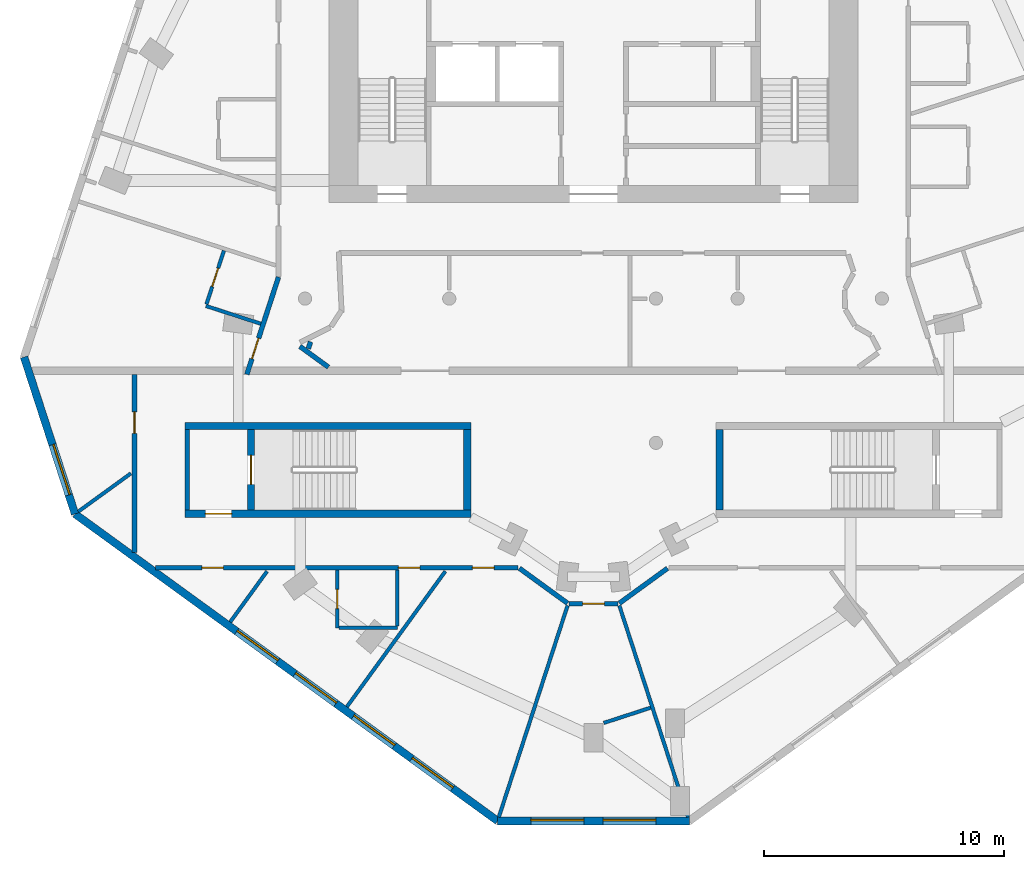
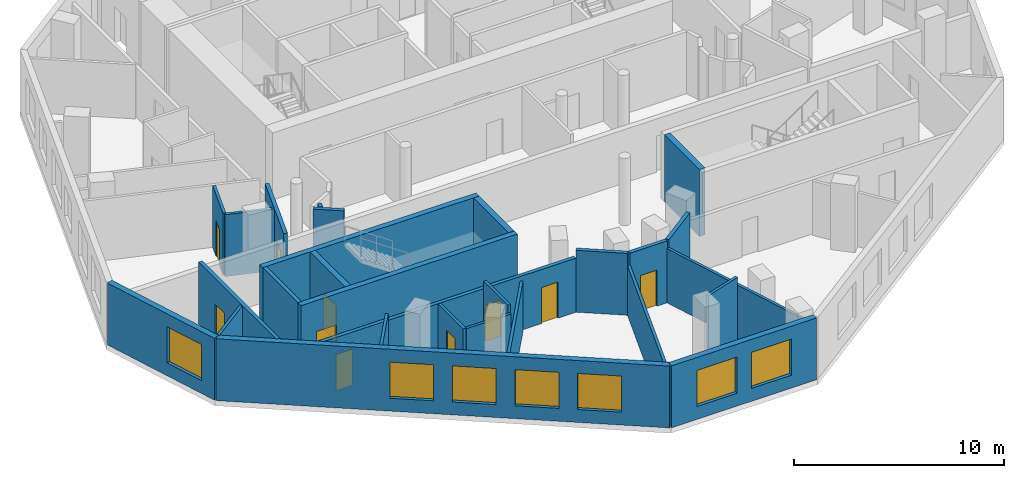
# One storey, part 2 of 9: 28 walls, 10 doors, 7 windows, 17 openings.
"""IFC4 building model written with IfcOpenShell, lengths in metres."""

from ifc_helpers import new_model, si_unit, direction, frame, frame_2d, origin, place, context, subcontext, project, spatial, rectangle, extrude, material, layer, layer_set, type_object, element, fill, save


model = new_model("IFC4")

# Units and contexts
model_context = context("Model", 3, precision=1e-05, world=origin(), true_north=direction((0.0, 1.0)))
body_context = subcontext(model_context, "Body", "Model", "MODEL_VIEW")
ifc_project = project(units=[si_unit("LENGTHUNIT", "METRE"), si_unit("AREAUNIT", "SQUARE_METRE"), si_unit("VOLUMEUNIT", "CUBIC_METRE"), si_unit("PLANEANGLEUNIT", "RADIAN"), si_unit("MASSUNIT", "GRAM", prefix="KILO")], contexts=[model_context])

# Site, building, storey
site_placement = place(None, origin())
site = spatial("IfcSite", under=ifc_project, at=site_placement, CompositionType="ELEMENT")
building_placement = place(site_placement, origin())
building = spatial("IfcBuilding", under=site, at=building_placement, Name="White Candle Pilgrim Tower", CompositionType="ELEMENT")
storey_placement = place(building_placement, frame((0.0, 0.0, 252.199951171875)))
storey = spatial("IfcBuildingStorey", under=building, at=storey_placement, Name="L59", CompositionType="ELEMENT", Elevation=252.199951171875)

# Wall
ifc_material_1 = material(Name="Concrete C50/60", Category="concrete")
ifc_layer_1 = layer(ifc_material_1, 0.199951171875)
ifc_layer_set_1 = layer_set([ifc_layer_1], Name="Core wall 200 mm Concrete C50/60")
wall_type_1 = type_object("IfcWallType", Name="Core wall 200 mm Concrete C50/60", PredefinedType="SHEAR", material=ifc_layer_set_1)
wall_1_placement = place(storey_placement, frame((53.10009765625, 58.199951171875, 0.0), z_axis=(0.0, 0.0, 1.0), x_axis=(0.0, 1.0, 0.0)))
element("IfcWall", 1, at=wall_1_placement, inside=storey, type_object=wall_type_1, Name="WL-L59-C03", PredefinedType="SHEAR", context=body_context, shape_type="SweptSolid", body=[
    extrude(rectangle(XDim=3.35009765625, YDim=0.199951171875, at=frame_2d((1.675048828125, 0.0))), origin(), (0.0, 0.0, 1.0), 3.900146484375),
])

# Wall, opening, door
ifc_material_2 = material(Name="Gypsum board on steel studs", Category="steel")
ifc_layer_2 = layer(ifc_material_2, 0.199951171875)
ifc_layer_set_2 = layer_set([ifc_layer_2], Name="Corridor wall 200 mm EI 45")
wall_type_2 = type_object("IfcWallType", Name="Corridor wall 200 mm EI 45", PredefinedType="PARTITIONING", material=ifc_layer_set_2)
wall_2_placement = place(storey_placement, frame((55.580078125, 63.85009765625, 0.0), z_axis=(0.0, 0.0, 1.0), x_axis=(0.308990077211, 0.951065261791, 0.0)))
wall_2 = element("IfcWall", 2, at=wall_2_placement, inside=storey, type_object=wall_type_2, Name="WL-L59-P002", PredefinedType="PARTITIONING", context=body_context, shape_type="SweptSolid", body=[
    extrude(rectangle(XDim=4.255615234375, YDim=0.199951171875, at=frame_2d((2.1279296875, 0.0))), origin(), (0.0, 0.0, 1.0), 3.60009765625),
])
opening_1_placement = place(wall_2_placement, frame((0.68017578125, 0.0, 0.0)))
opening_1 = element("IfcOpeningElement", 3, at=opening_1_placement, cuts=wall_2, Name="Opening T18-117", PredefinedType="OPENING", context=body_context, shape_type="SweptSolid", body=[
    extrude(rectangle(XDim=0.89990234375, YDim=2.10009765625, at=frame_2d((0.449951171875, 1.050048828125))), frame((0.0, 0.10986328125, 0.0), z_axis=(0.0, -1.0, 0.0), x_axis=(1.0, 0.0, 0.0)), (0.0, 0.0, 1.0), 0.219970703125),
])
ifc_material_3 = material(Name="Steel door leaf", Category="steel")
door_type_1 = type_object("IfcDoorType", Name="Fire door 900 x 2100 EI 30", OperationType="NOTDEFINED", PredefinedType="DOOR", material=ifc_material_3)
door_1_placement = place(opening_1_placement, origin())
door_1 = element("IfcDoor", 4, at=door_1_placement, inside=storey, type_object=door_type_1, Name="Door T18-117", OperationType="SINGLE_SWING_LEFT", OverallHeight=2.10009765625, OverallWidth=0.89990234375, PredefinedType="DOOR", context=body_context, shape_type="SweptSolid", body=[
    extrude(rectangle(XDim=0.89990234375, YDim=2.10009765625, at=frame_2d((0.449951171875, 1.050048828125))), frame((0.0, 0.02490234375, 0.0), z_axis=(0.0, -1.0, 0.0), x_axis=(1.0, 0.0, 0.0)), (0.0, 0.0, 1.0), 0.050048828125),
])
fill(opening_1, door_1)

# Wall
wall_3_placement = place(storey_placement, frame((73.08056640625, 55.781005859375, 0.0), z_axis=(0.0, 0.0, 1.0), x_axis=(-0.808962045992, -0.587860874821, 0.0)))
element("IfcWall", 5, at=wall_3_placement, inside=storey, type_object=wall_type_2, Name="WL-L59-P008", PredefinedType="PARTITIONING", context=body_context, shape_type="SweptSolid", body=[
    extrude(rectangle(XDim=2.4755859375, YDim=0.199951171875, at=frame_2d((1.23779296875, 0.0))), origin(), (0.0, 0.0, 1.0), 3.60009765625),
])

# Wall, opening, door
wall_4_placement = place(storey_placement, frame((71.01904296875, 54.306640625, 0.0), z_axis=(0.0, 0.0, 1.0), x_axis=(-1.0, 0.0, 0.0)))
wall_4 = element("IfcWall", 6, at=wall_4_placement, inside=storey, type_object=wall_type_2, Name="WL-L59-P009", PredefinedType="PARTITIONING", context=body_context, shape_type="SweptSolid", body=[
    extrude(rectangle(XDim=2.0380859375, YDim=0.199951171875, at=frame_2d((1.01904296875, 0.0))), origin(), (0.0, 0.0, 1.0), 3.60009765625),
])
opening_2_placement = place(wall_4_placement, frame((0.569091796875, 0.0, 0.0)))
opening_2 = element("IfcOpeningElement", 7, at=opening_2_placement, cuts=wall_4, Name="Opening T18-108", PredefinedType="OPENING", context=body_context, shape_type="SweptSolid", body=[
    extrude(rectangle(XDim=0.89990234375, YDim=2.10009765625, at=frame_2d((0.449951171875, 1.050048828125))), frame((0.0, 0.10986328125, 0.0), z_axis=(0.0, -1.0, 0.0), x_axis=(1.0, 0.0, 0.0)), (0.0, 0.0, 1.0), 0.219970703125),
])
door_2_placement = place(opening_2_placement, origin())
door_2 = element("IfcDoor", 8, at=door_2_placement, inside=storey, type_object=door_type_1, Name="Door T18-108", OperationType="SINGLE_SWING_RIGHT", OverallHeight=2.10009765625, OverallWidth=0.89990234375, PredefinedType="DOOR", context=body_context, shape_type="SweptSolid", body=[
    extrude(rectangle(XDim=0.89990234375, YDim=2.10009765625, at=frame_2d((0.449951171875, 1.050048828125))), frame((0.0, 0.02490234375, 0.0), z_axis=(0.0, -1.0, 0.0), x_axis=(1.0, 0.0, 0.0)), (0.0, 0.0, 1.0), 0.050048828125),
])
fill(opening_2, door_2)

# Wall
wall_5_placement = place(storey_placement, frame((68.922119140625, 54.32568359375, 0.0), z_axis=(0.0, 0.0, 1.0), x_axis=(-0.808962045992, 0.587860874821, 0.0)))
element("IfcWall", 9, at=wall_5_placement, inside=storey, type_object=wall_type_2, Name="WL-L59-P010", PredefinedType="PARTITIONING", context=body_context, shape_type="SweptSolid", body=[
    extrude(rectangle(XDim=2.4755859375, YDim=0.199951171875, at=frame_2d((1.23779296875, 0.0))), origin(), (0.0, 0.0, 1.0), 3.60009765625),
])

# Wall, openings, doors
wall_6_placement = place(storey_placement, frame((66.860595703125, 55.800048828125, 0.0), z_axis=(0.0, 0.0, 1.0), x_axis=(-1.0, 0.0, 0.0)))
wall_6 = element("IfcWall", 10, at=wall_6_placement, inside=storey, type_object=wall_type_2, Name="WL-L59-P011", PredefinedType="PARTITIONING", context=body_context, shape_type="SweptSolid", body=[
    extrude(rectangle(XDim=15.074951171875, YDim=0.199951171875, at=frame_2d((7.53759765625, 0.0))), origin(), (0.0, 0.0, 1.0), 3.150146484375),
])
opening_3_placement = place(wall_6_placement, frame((12.25537109375, 0.0, 0.0)))
opening_3 = element("IfcOpeningElement", 11, at=opening_3_placement, cuts=wall_6, Name="Opening T18-104", PredefinedType="OPENING", context=body_context, shape_type="SweptSolid", body=[
    extrude(rectangle(XDim=0.89990234375, YDim=2.10009765625, at=frame_2d((0.449951171875, 1.050048828125))), frame((0.0, 0.10986328125, 0.0), z_axis=(0.0, -1.0, 0.0), x_axis=(1.0, 0.0, 0.0)), (0.0, 0.0, 1.0), 0.219970703125),
])
opening_4_placement = place(wall_6_placement, frame((4.07763671875, 0.0, 0.0)))
opening_4 = element("IfcOpeningElement", 12, at=opening_4_placement, cuts=wall_6, Name="Opening T18-106", PredefinedType="OPENING", context=body_context, shape_type="SweptSolid", body=[
    extrude(rectangle(XDim=0.89990234375, YDim=2.10009765625, at=frame_2d((0.449951171875, 1.050048828125))), frame((0.0, 0.10986328125, 0.0), z_axis=(0.0, -1.0, 0.0), x_axis=(1.0, 0.0, 0.0)), (0.0, 0.0, 1.0), 0.219970703125),
])
opening_5_placement = place(wall_6_placement, frame((0.993408203125, 0.0, 0.0)))
opening_5 = element("IfcOpeningElement", 13, at=opening_5_placement, cuts=wall_6, Name="Opening T18-107", PredefinedType="OPENING", context=body_context, shape_type="SweptSolid", body=[
    extrude(rectangle(XDim=0.89990234375, YDim=2.10009765625, at=frame_2d((0.449951171875, 1.050048828125))), frame((0.0, 0.10986328125, 0.0), z_axis=(0.0, -1.0, 0.0), x_axis=(1.0, 0.0, 0.0)), (0.0, 0.0, 1.0), 0.219970703125),
])
door_3_placement = place(opening_3_placement, origin())
door_3 = element("IfcDoor", 14, at=door_3_placement, inside=storey, type_object=door_type_1, Name="Door T18-104", OperationType="SINGLE_SWING_RIGHT", OverallHeight=2.10009765625, OverallWidth=0.89990234375, PredefinedType="DOOR", context=body_context, shape_type="SweptSolid", body=[
    extrude(rectangle(XDim=0.89990234375, YDim=2.10009765625, at=frame_2d((0.449951171875, 1.050048828125))), frame((0.0, 0.02490234375, 0.0), z_axis=(0.0, -1.0, 0.0), x_axis=(1.0, 0.0, 0.0)), (0.0, 0.0, 1.0), 0.050048828125),
])
fill(opening_3, door_3)
door_4_placement = place(opening_4_placement, origin())
door_4 = element("IfcDoor", 15, at=door_4_placement, inside=storey, type_object=door_type_1, Name="Door T18-106", OperationType="SINGLE_SWING_RIGHT", OverallHeight=2.10009765625, OverallWidth=0.89990234375, PredefinedType="DOOR", context=body_context, shape_type="SweptSolid", body=[
    extrude(rectangle(XDim=0.89990234375, YDim=2.10009765625, at=frame_2d((0.449951171875, 1.050048828125))), frame((0.0, 0.02490234375, 0.0), z_axis=(0.0, -1.0, 0.0), x_axis=(1.0, 0.0, 0.0)), (0.0, 0.0, 1.0), 0.050048828125),
])
fill(opening_4, door_4)
door_5_placement = place(opening_5_placement, origin())
door_5 = element("IfcDoor", 16, at=door_5_placement, inside=storey, type_object=door_type_1, Name="Door T18-107", OperationType="SINGLE_SWING_LEFT", OverallHeight=2.10009765625, OverallWidth=0.89990234375, PredefinedType="DOOR", context=body_context, shape_type="SweptSolid", body=[
    extrude(rectangle(XDim=0.89990234375, YDim=2.10009765625, at=frame_2d((0.449951171875, 1.050048828125))), frame((0.0, 0.02490234375, 0.0), z_axis=(0.0, -1.0, 0.0), x_axis=(1.0, 0.0, 0.0)), (0.0, 0.0, 1.0), 0.050048828125),
])
fill(opening_5, door_5)

# Wall, opening, door
wall_7_placement = place(storey_placement, frame((50.89990234375, 56.443359375, 0.0), z_axis=(0.0, 0.0, 1.0), x_axis=(0.0, 1.0, 0.0)))
wall_7 = element("IfcWall", 17, at=wall_7_placement, inside=storey, type_object=wall_type_2, Name="WL-L59-P012", PredefinedType="PARTITIONING", context=body_context, shape_type="SweptSolid", body=[
    extrude(rectangle(XDim=7.40673828125, YDim=0.199951171875, at=frame_2d((3.703369140625, 0.0))), origin(), (0.0, 0.0, 1.0), 3.60009765625),
])
opening_6_placement = place(wall_7_placement, frame((4.94921875, 0.0, 0.0)))
opening_6 = element("IfcOpeningElement", 18, at=opening_6_placement, cuts=wall_7, Name="Opening T18-103", PredefinedType="OPENING", context=body_context, shape_type="SweptSolid", body=[
    extrude(rectangle(XDim=0.89990234375, YDim=2.10009765625, at=frame_2d((0.449951171875, 1.050048828125))), frame((0.0, 0.10986328125, 0.0), z_axis=(0.0, -1.0, 0.0), x_axis=(1.0, 0.0, 0.0)), (0.0, 0.0, 1.0), 0.219970703125),
])
door_6_placement = place(opening_6_placement, origin())
door_6 = element("IfcDoor", 19, at=door_6_placement, inside=storey, type_object=door_type_1, Name="Door T18-103", OperationType="SINGLE_SWING_LEFT", OverallHeight=2.10009765625, OverallWidth=0.89990234375, PredefinedType="DOOR", context=body_context, shape_type="SweptSolid", body=[
    extrude(rectangle(XDim=0.89990234375, YDim=2.10009765625, at=frame_2d((0.449951171875, 1.050048828125))), frame((0.0, 0.02490234375, 0.0), z_axis=(0.0, -1.0, 0.0), x_axis=(1.0, 0.0, 0.0)), (0.0, 0.0, 1.0), 0.050048828125),
])
fill(opening_6, door_6)

# Walls
wall_8_placement = place(storey_placement, frame((57.785400390625, 65.0126953125, 0.0), z_axis=(0.0, 0.0, 1.0), x_axis=(0.809066765609, -0.587716741966, 0.0)))
element("IfcWall", 20, at=wall_8_placement, inside=storey, type_object=wall_type_2, Name="WL-L59-P022", PredefinedType="PARTITIONING", context=body_context, shape_type="SweptSolid", body=[
    extrude(rectangle(XDim=1.468017578125, YDim=0.199951171875, at=frame_2d((0.73388671875, 0.0))), origin(), (0.0, 0.0, 1.0), 3.60009765625),
])
wall_9_placement = place(storey_placement, frame((58.1357421875, 64.920166015625, 0.0), z_axis=(0.0, 0.0, 1.0), x_axis=(0.308939772629, 0.951081603695, 0.0)))
element("IfcWall", 21, at=wall_9_placement, inside=storey, type_object=wall_type_2, Name="WL-L59-P054", PredefinedType="PARTITIONING", context=body_context, shape_type="SweptSolid", body=[
    extrude(rectangle(XDim=0.3017578125, YDim=0.199951171875, at=frame_2d((0.15087890625, 0.0))), origin(), (0.0, 0.0, 1.0), 3.60009765625),
])

# Wall, opening, window
ifc_material_4 = material(Name="Precast concrete C40/50", Category="concrete")
ifc_layer_3 = layer(ifc_material_4, 0.320068359375)
ifc_layer_set_3 = layer_set([ifc_layer_3], Name="Facade wall EW1 precast concrete C40/50 pier wall with timber-lined reveals")
wall_type_3 = type_object("IfcWallType", Name="Facade wall EW1 precast concrete C40/50 pier wall with timber-lined reveals", PredefinedType="SOLIDWALL", material=ifc_layer_set_3)
wall_10_placement = place(storey_placement, frame((46.308349609375, 64.569091796875, 0.0), z_axis=(0.0, 0.0, 1.0), x_axis=(0.309016913419, -0.951056542599, 0.0)))
wall_10 = element("IfcWall", 22, at=wall_10_placement, inside=storey, type_object=wall_type_3, Name="Facade wall L59 W chamfer", PredefinedType="SOLIDWALL", context=body_context, shape_type="SweptSolid", body=[
    extrude(rectangle(XDim=6.86474609375, YDim=0.320068359375, at=frame_2d((3.432373046875, 0.0))), origin(), (0.0, 0.0, 1.0), 3.60009765625),
])
opening_7_placement = place(wall_10_placement, frame((3.83251953125, 0.0, 0.75)))
opening_7 = element("IfcOpeningElement", 23, at=opening_7_placement, cuts=wall_10, Name="Opening W4", PredefinedType="OPENING", context=body_context, shape_type="SweptSolid", body=[
    extrude(rectangle(XDim=2.199951171875, YDim=2.10009765625, at=frame_2d((1.10009765625, 1.050048828125))), frame((0.0, 0.169921875, 0.0), z_axis=(0.0, -1.0, 0.0), x_axis=(1.0, 0.0, 0.0)), (0.0, 0.0, 1.0), 0.340087890625),
])
ifc_material_5 = material(Name="Timber frame with triple glazing", Category="wood")
window_type_1 = type_object("IfcWindowType", Name="Window W4 2200x2100 timber frame triple glazing", PartitioningType="SINGLE_PANEL", PredefinedType="WINDOW", material=ifc_material_5)
window_1_placement = place(opening_7_placement, origin())
window_1 = element("IfcWindow", 24, at=window_1_placement, inside=storey, type_object=window_type_1, Name="Window W4 L59 W chamfer 2", OverallHeight=2.10009765625, OverallWidth=2.199951171875, PartitioningType="SINGLE_PANEL", PredefinedType="WINDOW", context=body_context, shape_type="SweptSolid", body=[
    extrude(rectangle(XDim=2.199951171875, YDim=2.10009765625, at=frame_2d((1.10009765625, 1.050048828125))), frame((0.0, 0.070068359375, 0.0), z_axis=(0.0, -1.0, 0.0), x_axis=(1.0, 0.0, 0.0)), (0.0, 0.0, 1.0), 0.06005859375),
])
fill(opening_7, window_1)

# Wall, openings, windows
wall_11_placement = place(storey_placement, frame((48.4296875, 58.040283203125, 0.0), z_axis=(0.0, 0.0, 1.0), x_axis=(0.809018242367, -0.587783534575, 0.0)))
wall_11 = element("IfcWall", 25, at=wall_11_placement, inside=storey, type_object=wall_type_3, Name="Facade wall L59 SW", PredefinedType="SOLIDWALL", context=body_context, shape_type="SweptSolid", body=[
    extrude(rectangle(XDim=21.73193359375, YDim=0.320068359375, at=frame_2d((10.865966796875, 0.0))), origin(), (0.0, 0.0, 1.0), 3.60009765625),
])
opening_8_placement = place(wall_11_placement, frame((8.31591796875, 0.0, 0.75)))
opening_8 = element("IfcOpeningElement", 26, at=opening_8_placement, cuts=wall_11, Name="Opening W3", PredefinedType="OPENING", context=body_context, shape_type="SweptSolid", body=[
    extrude(rectangle(XDim=2.10009765625, YDim=2.10009765625, at=frame_2d((1.050048828125, 1.050048828125))), frame((0.0, 0.169921875, 0.0), z_axis=(0.0, -1.0, 0.0), x_axis=(1.0, 0.0, 0.0)), (0.0, 0.0, 1.0), 0.340087890625),
])
opening_9_placement = place(wall_11_placement, frame((11.31591796875, 0.0, 0.75)))
opening_9 = element("IfcOpeningElement", 27, at=opening_9_placement, cuts=wall_11, Name="Opening W3", PredefinedType="OPENING", context=body_context, shape_type="SweptSolid", body=[
    extrude(rectangle(XDim=2.10009765625, YDim=2.10009765625, at=frame_2d((1.050048828125, 1.050048828125))), frame((0.0, 0.169921875, 0.0), z_axis=(0.0, -1.0, 0.0), x_axis=(1.0, 0.0, 0.0)), (0.0, 0.0, 1.0), 0.340087890625),
])
opening_10_placement = place(wall_11_placement, frame((14.31591796875, 0.0, 0.75)))
opening_10 = element("IfcOpeningElement", 28, at=opening_10_placement, cuts=wall_11, Name="Opening W3", PredefinedType="OPENING", context=body_context, shape_type="SweptSolid", body=[
    extrude(rectangle(XDim=2.10009765625, YDim=2.10009765625, at=frame_2d((1.050048828125, 1.050048828125))), frame((0.0, 0.169921875, 0.0), z_axis=(0.0, -1.0, 0.0), x_axis=(1.0, 0.0, 0.0)), (0.0, 0.0, 1.0), 0.340087890625),
])
opening_11_placement = place(wall_11_placement, frame((17.31591796875, 0.0, 0.75)))
opening_11 = element("IfcOpeningElement", 29, at=opening_11_placement, cuts=wall_11, Name="Opening W3", PredefinedType="OPENING", context=body_context, shape_type="SweptSolid", body=[
    extrude(rectangle(XDim=2.10009765625, YDim=2.10009765625, at=frame_2d((1.050048828125, 1.050048828125))), frame((0.0, 0.169921875, 0.0), z_axis=(0.0, -1.0, 0.0), x_axis=(1.0, 0.0, 0.0)), (0.0, 0.0, 1.0), 0.340087890625),
])
window_type_2 = type_object("IfcWindowType", Name="Window W3 2100x2100 timber frame triple glazing", PartitioningType="SINGLE_PANEL", PredefinedType="WINDOW", material=ifc_material_5)
window_2_placement = place(opening_8_placement, origin())
window_2 = element("IfcWindow", 30, at=window_2_placement, inside=storey, type_object=window_type_2, Name="Window W3 L59 SW 3", OverallHeight=2.10009765625, OverallWidth=2.10009765625, PartitioningType="SINGLE_PANEL", PredefinedType="WINDOW", context=body_context, shape_type="SweptSolid", body=[
    extrude(rectangle(XDim=2.10009765625, YDim=2.10009765625, at=frame_2d((1.050048828125, 1.050048828125))), frame((0.0, 0.070068359375, 0.0), z_axis=(0.0, -1.0, 0.0), x_axis=(1.0, 0.0, 0.0)), (0.0, 0.0, 1.0), 0.06005859375),
])
fill(opening_8, window_2)
window_3_placement = place(opening_9_placement, origin())
window_3 = element("IfcWindow", 31, at=window_3_placement, inside=storey, type_object=window_type_2, Name="Window W3 L59 SW 4", OverallHeight=2.10009765625, OverallWidth=2.10009765625, PartitioningType="SINGLE_PANEL", PredefinedType="WINDOW", context=body_context, shape_type="SweptSolid", body=[
    extrude(rectangle(XDim=2.10009765625, YDim=2.10009765625, at=frame_2d((1.050048828125, 1.050048828125))), frame((0.0, 0.070068359375, 0.0), z_axis=(0.0, -1.0, 0.0), x_axis=(1.0, 0.0, 0.0)), (0.0, 0.0, 1.0), 0.06005859375),
])
fill(opening_9, window_3)
window_4_placement = place(opening_10_placement, origin())
window_4 = element("IfcWindow", 32, at=window_4_placement, inside=storey, type_object=window_type_2, Name="Window W3 L59 SW 5", OverallHeight=2.10009765625, OverallWidth=2.10009765625, PartitioningType="SINGLE_PANEL", PredefinedType="WINDOW", context=body_context, shape_type="SweptSolid", body=[
    extrude(rectangle(XDim=2.10009765625, YDim=2.10009765625, at=frame_2d((1.050048828125, 1.050048828125))), frame((0.0, 0.070068359375, 0.0), z_axis=(0.0, -1.0, 0.0), x_axis=(1.0, 0.0, 0.0)), (0.0, 0.0, 1.0), 0.06005859375),
])
fill(opening_10, window_4)
window_5_placement = place(opening_11_placement, origin())
window_5 = element("IfcWindow", 33, at=window_5_placement, inside=storey, type_object=window_type_2, Name="Window W3 L59 SW 6", OverallHeight=2.10009765625, OverallWidth=2.10009765625, PartitioningType="SINGLE_PANEL", PredefinedType="WINDOW", context=body_context, shape_type="SweptSolid", body=[
    extrude(rectangle(XDim=2.10009765625, YDim=2.10009765625, at=frame_2d((1.050048828125, 1.050048828125))), frame((0.0, 0.070068359375, 0.0), z_axis=(0.0, -1.0, 0.0), x_axis=(1.0, 0.0, 0.0)), (0.0, 0.0, 1.0), 0.06005859375),
])
fill(opening_11, window_5)

wall_12_placement = place(storey_placement, frame((66.01123046875, 45.2666015625, 0.0), z_axis=(0.0, 0.0, 1.0), x_axis=(1.0, 0.0, 0.0)))
wall_12 = element("IfcWall", 34, at=wall_12_placement, inside=storey, type_object=wall_type_3, Name="Facade wall L59 S chamfer", PredefinedType="SOLIDWALL", context=body_context, shape_type="SweptSolid", body=[
    extrude(rectangle(XDim=7.9775390625, YDim=0.320068359375, at=frame_2d((3.98876953125, 0.0))), origin(), (0.0, 0.0, 1.0), 3.60009765625),
])
opening_12_placement = place(wall_12_placement, frame((1.388671875, 0.0, 0.75)))
opening_12 = element("IfcOpeningElement", 35, at=opening_12_placement, cuts=wall_12, Name="Opening W4", PredefinedType="OPENING", context=body_context, shape_type="SweptSolid", body=[
    extrude(rectangle(XDim=2.199951171875, YDim=2.10009765625, at=frame_2d((1.10009765625, 1.050048828125))), frame((0.0, 0.169921875, 0.0), z_axis=(0.0, -1.0, 0.0), x_axis=(1.0, 0.0, 0.0)), (0.0, 0.0, 1.0), 0.340087890625),
])
opening_13_placement = place(wall_12_placement, frame((4.388671875, 0.0, 0.75)))
opening_13 = element("IfcOpeningElement", 36, at=opening_13_placement, cuts=wall_12, Name="Opening W4", PredefinedType="OPENING", context=body_context, shape_type="SweptSolid", body=[
    extrude(rectangle(XDim=2.199951171875, YDim=2.10009765625, at=frame_2d((1.10009765625, 1.050048828125))), frame((0.0, 0.169921875, 0.0), z_axis=(0.0, -1.0, 0.0), x_axis=(1.0, 0.0, 0.0)), (0.0, 0.0, 1.0), 0.340087890625),
])
window_6_placement = place(opening_12_placement, origin())
window_6 = element("IfcWindow", 37, at=window_6_placement, inside=storey, type_object=window_type_1, Name="Window W4 L59 S chamfer 1", OverallHeight=2.10009765625, OverallWidth=2.199951171875, PartitioningType="SINGLE_PANEL", PredefinedType="WINDOW", context=body_context, shape_type="SweptSolid", body=[
    extrude(rectangle(XDim=2.199951171875, YDim=2.10009765625, at=frame_2d((1.10009765625, 1.050048828125))), frame((0.0, 0.070068359375, 0.0), z_axis=(0.0, -1.0, 0.0), x_axis=(1.0, 0.0, 0.0)), (0.0, 0.0, 1.0), 0.06005859375),
])
fill(opening_12, window_6)
window_7_placement = place(opening_13_placement, origin())
window_7 = element("IfcWindow", 38, at=window_7_placement, inside=storey, type_object=window_type_1, Name="Window W4 L59 S chamfer 2", OverallHeight=2.10009765625, OverallWidth=2.199951171875, PartitioningType="SINGLE_PANEL", PredefinedType="WINDOW", context=body_context, shape_type="SweptSolid", body=[
    extrude(rectangle(XDim=2.199951171875, YDim=2.10009765625, at=frame_2d((1.10009765625, 1.050048828125))), frame((0.0, 0.070068359375, 0.0), z_axis=(0.0, -1.0, 0.0), x_axis=(1.0, 0.0, 0.0)), (0.0, 0.0, 1.0), 0.06005859375),
])
fill(opening_13, window_7)

# Walls
ifc_layer_4 = layer(ifc_material_2, 0.14990234375)
ifc_layer_set_4 = layer_set([ifc_layer_4], Name="Partition 150 mm EI 60")
wall_type_4 = type_object("IfcWallType", Name="Partition 150 mm EI 60", PredefinedType="PARTITIONING", material=ifc_layer_set_4)
wall_13_placement = place(storey_placement, frame((48.56591796875, 58.13916015625, 0.0), z_axis=(0.0, 0.0, 1.0), x_axis=(0.808977814749, 0.587839174642, 0.0)))
element("IfcWall", 39, at=wall_13_placement, inside=storey, type_object=wall_type_4, Name="WL-L59-P026", PredefinedType="PARTITIONING", context=body_context, shape_type="SweptSolid", body=[
    extrude(rectangle(XDim=2.70703125, YDim=0.14990234375, at=frame_2d((1.353515625, 0.0))), origin(), (0.0, 0.0, 1.0), 3.60009765625),
])
wall_14_placement = place(storey_placement, frame((66.063232421875, 45.4267578125, 0.0), z_axis=(0.0, 0.0, 1.0), x_axis=(0.309006712512, 0.951059857014, 0.0)))
element("IfcWall", 40, at=wall_14_placement, inside=storey, type_object=wall_type_4, Name="WL-L59-P027", PredefinedType="PARTITIONING", context=body_context, shape_type="SweptSolid", body=[
    extrude(rectangle(XDim=9.251953125, YDim=0.14990234375, at=frame_2d((4.6259765625, 0.0))), origin(), (0.0, 0.0, 1.0), 2.900146484375),
])
wall_15_placement = place(storey_placement, frame((73.936767578125, 45.4267578125, 0.0), z_axis=(0.0, 0.0, 1.0), x_axis=(-0.309006712512, 0.951059857014, 0.0)))
element("IfcWall", 41, at=wall_15_placement, inside=storey, type_object=wall_type_4, Name="WL-L59-P028", PredefinedType="PARTITIONING", context=body_context, shape_type="SweptSolid", body=[
    extrude(rectangle(XDim=9.251953125, YDim=0.14990234375, at=frame_2d((4.6259765625, 0.0))), origin(), (0.0, 0.0, 1.0), 3.150146484375),
])
wall_16_placement = place(storey_placement, frame((56.15869140625, 65.95458984375, 0.0), z_axis=(0.0, 0.0, 1.0), x_axis=(-0.951046776628, 0.309046968381, 0.0)))
element("IfcWall", 42, at=wall_16_placement, inside=storey, type_object=wall_type_4, Name="WL-L59-P036", PredefinedType="PARTITIONING", context=body_context, shape_type="SweptSolid", body=[
    extrude(rectangle(XDim=2.39990234375, YDim=0.14990234375, at=frame_2d((1.199951171875, 0.0))), origin(), (0.0, 0.0, 1.0), 3.60009765625),
])

# Wall, opening, door
wall_17_placement = place(storey_placement, frame((54.62548828125, 69.002685546875, 0.0), z_axis=(0.0, 0.0, 1.0), x_axis=(-0.308956872689, -0.951076048914, 0.0)))
wall_17 = element("IfcWall", 43, at=wall_17_placement, inside=storey, type_object=wall_type_4, Name="WL-L59-P037", PredefinedType="PARTITIONING", context=body_context, shape_type="SweptSolid", body=[
    extrude(rectangle(XDim=2.35009765625, YDim=0.14990234375, at=frame_2d((1.175048828125, 0.0))), origin(), (0.0, 0.0, 1.0), 3.60009765625),
])
opening_14_placement = place(wall_17_placement, frame((0.77490234375, 0.0, 0.0)))
opening_14 = element("IfcOpeningElement", 44, at=opening_14_placement, cuts=wall_17, Name="Opening T18-102", PredefinedType="OPENING", context=body_context, shape_type="SweptSolid", body=[
    extrude(rectangle(XDim=0.800048828125, YDim=2.10009765625, at=frame_2d((0.39990234375, 1.050048828125))), frame((0.0, 0.0849609375, 0.0), z_axis=(0.0, -1.0, 0.0), x_axis=(1.0, 0.0, 0.0)), (0.0, 0.0, 1.0), 0.169921875),
])
door_type_2 = type_object("IfcDoorType", Name="Fire door 800 x 2100 EI 30", OperationType="NOTDEFINED", PredefinedType="DOOR", material=ifc_material_3)
door_7_placement = place(opening_14_placement, frame((0.800048828125, 0.0, 0.0), z_axis=(0.0, 0.0, 1.0), x_axis=(-1.0, 0.0, 0.0)))
door_7 = element("IfcDoor", 45, at=door_7_placement, inside=storey, type_object=door_type_2, Name="Door T18-102", OperationType="SINGLE_SWING_LEFT", OverallHeight=2.10009765625, OverallWidth=0.800048828125, PredefinedType="DOOR", context=body_context, shape_type="SweptSolid", body=[
    extrude(rectangle(XDim=0.800048828125, YDim=2.10009765625, at=frame_2d((0.39990234375, 1.050048828125))), frame((0.0, 0.02490234375, 0.0), z_axis=(0.0, -1.0, 0.0), x_axis=(1.0, 0.0, 0.0)), (0.0, 0.0, 1.0), 0.050048828125),
])
fill(opening_14, door_7)

# Walls
wall_18_placement = place(storey_placement, frame((54.887451171875, 53.54638671875, 0.0), z_axis=(0.0, 0.0, 1.0), x_axis=(0.587781944183, 0.809019397847, 0.0)))
element("IfcWall", 46, at=wall_18_placement, inside=storey, type_object=wall_type_4, Name="WL-L59-P038", PredefinedType="PARTITIONING", context=body_context, shape_type="SweptSolid", body=[
    extrude(rectangle(XDim=2.607666015625, YDim=0.14990234375, at=frame_2d((1.3037109375, 0.0))), origin(), (0.0, 0.0, 1.0), 3.60009765625),
])
wall_19_placement = place(storey_placement, frame((59.74169921875, 50.01953125, 0.0), z_axis=(0.0, 0.0, 1.0), x_axis=(0.587769487479, 0.809028447948, 0.0)))
element("IfcWall", 47, at=wall_19_placement, inside=storey, type_object=wall_type_4, Name="WL-L59-P039", PredefinedType="PARTITIONING", context=body_context, shape_type="SweptSolid", body=[
    extrude(rectangle(XDim=6.967041015625, YDim=0.14990234375, at=frame_2d((3.4833984375, 0.0))), origin(), (0.0, 0.0, 1.0), 2.900146484375),
])

# Wall, opening, door
wall_20_placement = place(storey_placement, frame((59.34130859375, 55.699951171875, 0.0), z_axis=(0.0, 0.0, 1.0), x_axis=(0.0, -1.0, 0.0)))
wall_20 = element("IfcWall", 48, at=wall_20_placement, inside=storey, type_object=wall_type_4, Name="WL-L59-P040", PredefinedType="PARTITIONING", context=body_context, shape_type="SweptSolid", body=[
    extrude(rectangle(XDim=2.39990234375, YDim=0.14990234375, at=frame_2d((1.199951171875, 0.0))), origin(), (0.0, 0.0, 1.0), 3.150146484375),
])
opening_15_placement = place(wall_20_placement, frame((0.800048828125, 0.0, 0.0)))
opening_15 = element("IfcOpeningElement", 49, at=opening_15_placement, cuts=wall_20, Name="Opening T18-105", PredefinedType="OPENING", context=body_context, shape_type="SweptSolid", body=[
    extrude(rectangle(XDim=0.800048828125, YDim=2.10009765625, at=frame_2d((0.39990234375, 1.050048828125))), frame((0.0, 0.0849609375, 0.0), z_axis=(0.0, -1.0, 0.0), x_axis=(1.0, 0.0, 0.0)), (0.0, 0.0, 1.0), 0.169921875),
])
door_8_placement = place(opening_15_placement, frame((0.800048828125, 0.0, 0.0), z_axis=(0.0, 0.0, 1.0), x_axis=(-1.0, 0.0, 0.0)))
door_8 = element("IfcDoor", 50, at=door_8_placement, inside=storey, type_object=door_type_2, Name="Door T18-105", OperationType="SINGLE_SWING_RIGHT", OverallHeight=2.10009765625, OverallWidth=0.800048828125, PredefinedType="DOOR", context=body_context, shape_type="SweptSolid", body=[
    extrude(rectangle(XDim=0.800048828125, YDim=2.10009765625, at=frame_2d((0.39990234375, 1.050048828125))), frame((0.0, 0.02490234375, 0.0), z_axis=(0.0, -1.0, 0.0), x_axis=(1.0, 0.0, 0.0)), (0.0, 0.0, 1.0), 0.050048828125),
])
fill(opening_15, door_8)

# Walls
wall_21_placement = place(storey_placement, frame((61.84130859375, 53.300048828125, 0.0), z_axis=(0.0, 0.0, 1.0), x_axis=(-1.0, 0.0, 0.0)))
element("IfcWall", 51, at=wall_21_placement, inside=storey, type_object=wall_type_4, Name="WL-L59-P041", PredefinedType="PARTITIONING", context=body_context, shape_type="SweptSolid", body=[
    extrude(rectangle(XDim=2.425048828125, YDim=0.14990234375, at=frame_2d((1.21240234375, 0.0))), origin(), (0.0, 0.0, 1.0), 3.150146484375),
])
wall_22_placement = place(storey_placement, frame((61.84130859375, 55.699951171875, 0.0), z_axis=(0.0, 0.0, 1.0), x_axis=(0.0, -1.0, 0.0)))
element("IfcWall", 52, at=wall_22_placement, inside=storey, type_object=wall_type_4, Name="WL-L59-P042", PredefinedType="PARTITIONING", context=body_context, shape_type="SweptSolid", body=[
    extrude(rectangle(XDim=2.324951171875, YDim=0.14990234375, at=frame_2d((1.16259765625, 0.0))), origin(), (0.0, 0.0, 1.0), 3.60009765625),
])
wall_23_placement = place(storey_placement, frame((70.428955078125, 49.34619140625, 0.0), z_axis=(0.0, 0.0, 1.0), x_axis=(0.95108481729, 0.308929879295, 0.0)))
element("IfcWall", 53, at=wall_23_placement, inside=storey, type_object=wall_type_4, Name="WL-L59-P056", PredefinedType="PARTITIONING", context=body_context, shape_type="SweptSolid", body=[
    extrude(rectangle(XDim=2.050048828125, YDim=0.14990234375, at=frame_2d((1.02490234375, 0.0))), origin(), (0.0, 0.0, 1.0), 3.60009765625),
])

# Wall, opening, door
ifc_layer_5 = layer(ifc_material_1, 0.300048828125)
ifc_layer_set_5 = layer_set([ifc_layer_5], Name="Stair shaft wall 300 mm Concrete C50/60")
wall_type_5 = type_object("IfcWallType", Name="Stair shaft wall 300 mm Concrete C50/60", PredefinedType="SHEAR", material=ifc_layer_set_5)
wall_24_placement = place(storey_placement, frame((53.0, 58.050048828125, 0.0), z_axis=(0.0, 0.0, 1.0), x_axis=(1.0, 0.0, 0.0)))
wall_24 = element("IfcWall", 54, at=wall_24_placement, inside=storey, type_object=wall_type_5, Name="WL-L59-C01", PredefinedType="SHEAR", context=body_context, shape_type="SweptSolid", body=[
    extrude(rectangle(XDim=11.89990234375, YDim=0.300048828125, at=frame_2d((5.949951171875, 0.0))), origin(), (0.0, 0.0, 1.0), 3.900146484375),
])
opening_16_placement = place(wall_24_placement, frame((0.85009765625, 0.0, 0.0)))
opening_16 = element("IfcOpeningElement", 55, at=opening_16_placement, cuts=wall_24, Name="Opening T18-010", PredefinedType="OPENING", context=body_context, shape_type="SweptSolid", body=[
    extrude(rectangle(XDim=1.10009765625, YDim=2.10009765625, at=frame_2d((0.550048828125, 1.050048828125))), frame((0.0, 0.159912109375, 0.0), z_axis=(0.0, -1.0, 0.0), x_axis=(1.0, 0.0, 0.0)), (0.0, 0.0, 1.0), 0.320068359375),
])
door_type_3 = type_object("IfcDoorType", Name="Fire door 1100 x 2100 EI 60", OperationType="NOTDEFINED", PredefinedType="DOOR", material=ifc_material_3)
door_9_placement = place(opening_16_placement, origin())
door_9 = element("IfcDoor", 56, at=door_9_placement, inside=storey, type_object=door_type_3, Name="Door T18-010", OperationType="SINGLE_SWING_RIGHT", OverallHeight=2.10009765625, OverallWidth=1.10009765625, PredefinedType="DOOR", context=body_context, shape_type="SweptSolid", body=[
    extrude(rectangle(XDim=1.10009765625, YDim=2.10009765625, at=frame_2d((0.550048828125, 1.050048828125))), frame((0.0, 0.02490234375, 0.0), z_axis=(0.0, -1.0, 0.0), x_axis=(1.0, 0.0, 0.0)), (0.0, 0.0, 1.0), 0.050048828125),
])
fill(opening_16, door_9)

wall_25_placement = place(storey_placement, frame((55.75, 58.199951171875, 0.0), z_axis=(0.0, 0.0, 1.0), x_axis=(0.0, 1.0, 0.0)))
wall_25 = element("IfcWall", 57, at=wall_25_placement, inside=storey, type_object=wall_type_5, Name="WL-L59-C04", PredefinedType="SHEAR", context=body_context, shape_type="SweptSolid", body=[
    extrude(rectangle(XDim=3.35009765625, YDim=0.300048828125, at=frame_2d((1.675048828125, 0.0))), origin(), (0.0, 0.0, 1.0), 3.900146484375),
])
opening_17_placement = place(wall_25_placement, frame((1.074951171875, 0.0, 0.0)))
opening_17 = element("IfcOpeningElement", 58, at=opening_17_placement, cuts=wall_25, Name="Opening T18-011", PredefinedType="OPENING", context=body_context, shape_type="SweptSolid", body=[
    extrude(rectangle(XDim=1.199951171875, YDim=2.10009765625, at=frame_2d((0.60009765625, 1.050048828125))), frame((0.0, 0.159912109375, 0.0), z_axis=(0.0, -1.0, 0.0), x_axis=(1.0, 0.0, 0.0)), (0.0, 0.0, 1.0), 0.320068359375),
])
door_type_4 = type_object("IfcDoorType", Name="Fire door 1200 x 2100 EI 60", OperationType="NOTDEFINED", PredefinedType="DOOR", material=ifc_material_3)
door_10_placement = place(opening_17_placement, frame((1.199951171875, 0.0, 0.0), z_axis=(0.0, 0.0, 1.0), x_axis=(-1.0, 0.0, 0.0)))
door_10 = element("IfcDoor", 59, at=door_10_placement, inside=storey, type_object=door_type_4, Name="Door T18-011", OperationType="SINGLE_SWING_RIGHT", OverallHeight=2.10009765625, OverallWidth=1.199951171875, PredefinedType="DOOR", context=body_context, shape_type="SweptSolid", body=[
    extrude(rectangle(XDim=1.199951171875, YDim=2.10009765625, at=frame_2d((0.60009765625, 1.050048828125))), frame((0.0, 0.02490234375, 0.0), z_axis=(0.0, -1.0, 0.0), x_axis=(1.0, 0.0, 0.0)), (0.0, 0.0, 1.0), 0.050048828125),
])
fill(opening_17, door_10)

# Walls
for number, where, z_axis, x_axis, name in (
    (60, (64.75, 58.199951171875, 0.0), (0.0, 0.0, 1.0), (0.0, 1.0, 0.0), "WL-L59-C05"),
    (61, (75.25, 58.199951171875, 0.0), (0.0, 0.0, 1.0), (0.0, 1.0, 0.0), "WL-L59-C06"),
):
    element("IfcWall", number, at=place(storey_placement, frame(where, z_axis=z_axis, x_axis=x_axis)), inside=storey, type_object=wall_type_5, Name=name, PredefinedType="SHEAR", context=body_context, shape_type="SweptSolid", body=[
        extrude(rectangle(XDim=3.35009765625, YDim=0.300048828125, at=frame_2d((1.675048828125, 0.0))), origin(), (0.0, 0.0, 1.0), 3.900146484375),
    ])
wall_26_placement = place(storey_placement, frame((53.0, 61.699951171875, 0.0), z_axis=(0.0, 0.0, 1.0), x_axis=(1.0, 0.0, 0.0)))
element("IfcWall", 62, at=wall_26_placement, inside=storey, type_object=wall_type_5, Name="WL-L59-C09", PredefinedType="SHEAR", context=body_context, shape_type="SweptSolid", body=[
    extrude(rectangle(XDim=11.89990234375, YDim=0.300048828125, at=frame_2d((5.949951171875, 0.0))), origin(), (0.0, 0.0, 1.0), 3.900146484375),
])

save(model, "model.ifc")
